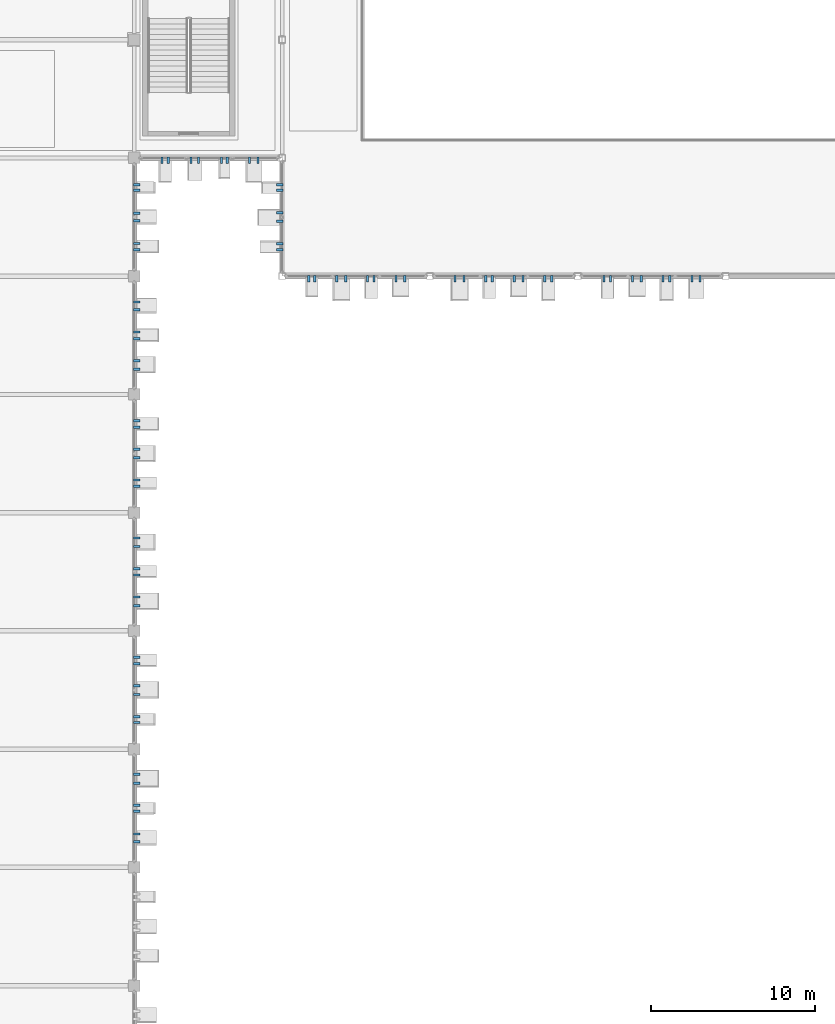
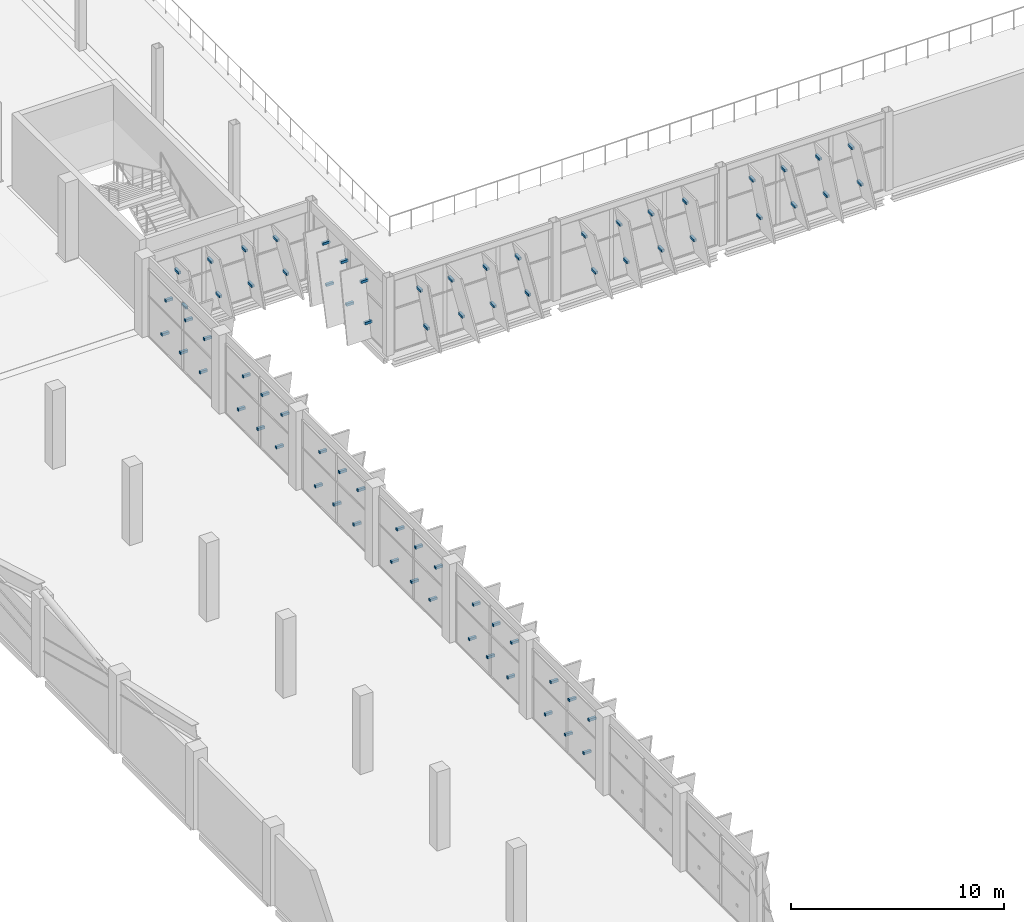
# One storey, part 124 of 151: 74 discrete accessories.
"""IFC4 building model written with IfcOpenShell, lengths in metres."""

from ifc_helpers import new_model, si_unit, direction, frame, origin, origin_2d, place, context, subcontext, project, spatial, rectangle, extrude, material, type_object, element, save


model = new_model("IFC4")

# Units and contexts
model_context = context("Model", 3, precision=1e-05, world=origin(), true_north=direction((0.0, 1.0)))
body_context = subcontext(model_context, "Body", "Model", "MODEL_VIEW")
ifc_project = project(units=[si_unit("LENGTHUNIT", "METRE"), si_unit("AREAUNIT", "SQUARE_METRE"), si_unit("VOLUMEUNIT", "CUBIC_METRE"), si_unit("PLANEANGLEUNIT", "RADIAN"), si_unit("MASSUNIT", "GRAM", prefix="KILO")], contexts=[model_context])

# Site, building, storey
site_placement = place(None, origin())
site = spatial("IfcSite", under=ifc_project, at=site_placement, CompositionType="ELEMENT")
building_placement = place(site_placement, origin())
building = spatial("IfcBuilding", under=site, at=building_placement, Name="Celestram Park Convention Centre", CompositionType="ELEMENT")
storey_placement = place(building_placement, frame((0.0, 0.0, 10.800048828125)))
storey = spatial("IfcBuildingStorey", under=building, at=storey_placement, Name="L02", CompositionType="ELEMENT", Elevation=10.800048828125)

# Discrete accessories
ifc_material = material(Name="Steel ASTM A500 Grade C", Category="steel")
discrete_accessory_type = type_object("IfcDiscreteAccessoryType", Name="ARC-BRK-OUT400", PredefinedType="BRACKET", material=ifc_material)
for number, where, z_axis, x_axis, name in (
    (1, (178.442626953125, 115.050048828125, 0.8701171875), (0.0, 0.0, 1.0), (0.0, -1.0, 0.0), "Solar fin outrigger bracket BK-L02-1099"),
    (2, (177.95751953125, 115.050048828125, 3.1337890625), (0.0, 0.0, 1.0), (0.0, -1.0, 0.0), "Solar fin outrigger bracket BK-L02-1100"),
    (3, (176.60888671875, 115.050048828125, 0.86328125), (0.0, 0.0, 1.0), (0.0, -1.0, 0.0), "Solar fin outrigger bracket BK-L02-1101"),
    (4, (176.19091796875, 115.050048828125, 3.140625), (0.0, 0.0, 1.0), (0.0, -1.0, 0.0), "Solar fin outrigger bracket BK-L02-1102"),
    (5, (174.868408203125, 115.050048828125, 0.8759765625), (0.0, 0.0, 1.0), (0.0, -1.0, 0.0), "Solar fin outrigger bracket BK-L02-1103"),
    (6, (174.331787109375, 115.050048828125, 3.1279296875), (0.0, 0.0, 1.0), (0.0, -1.0, 0.0), "Solar fin outrigger bracket BK-L02-1104"),
    (7, (172.9970703125, 115.050048828125, 0.861328125), (0.0, 0.0, 1.0), (0.0, -1.0, 0.0), "Solar fin outrigger bracket BK-L02-1105"),
    (8, (172.60302734375, 115.050048828125, 3.142578125), (0.0, 0.0, 1.0), (0.0, -1.0, 0.0), "Solar fin outrigger bracket BK-L02-1106"),
    (9, (169.408935546875, 115.050048828125, 0.86328125), (0.0, 0.0, 1.0), (0.0, -1.0, 0.0), "Solar fin outrigger bracket BK-L02-1107"),
    (10, (168.990966796875, 115.050048828125, 3.140625), (0.0, 0.0, 1.0), (0.0, -1.0, 0.0), "Solar fin outrigger bracket BK-L02-1108"),
    (11, (167.668212890625, 115.050048828125, 0.8759765625), (0.0, 0.0, 1.0), (0.0, -1.0, 0.0), "Solar fin outrigger bracket BK-L02-1109"),
    (12, (167.131591796875, 115.050048828125, 3.1279296875), (0.0, 0.0, 1.0), (0.0, -1.0, 0.0), "Solar fin outrigger bracket BK-L02-1110"),
    (13, (165.797119140625, 115.050048828125, 0.861328125), (0.0, 0.0, 1.0), (0.0, -1.0, 0.0), "Solar fin outrigger bracket BK-L02-1111"),
    (14, (165.403076171875, 115.050048828125, 3.142578125), (0.0, 0.0, 1.0), (0.0, -1.0, 0.0), "Solar fin outrigger bracket BK-L02-1112"),
    (15, (164.076171875, 115.050048828125, 0.8779296875), (0.0, 0.0, 1.0), (0.0, -1.0, 0.0), "Solar fin outrigger bracket BK-L02-1113"),
    (16, (163.52392578125, 115.050048828125, 3.1259765625), (0.0, 0.0, 1.0), (0.0, -1.0, 0.0), "Solar fin outrigger bracket BK-L02-1114"),
    (17, (160.46826171875, 115.050048828125, 0.8759765625), (0.0, 0.0, 1.0), (0.0, -1.0, 0.0), "Solar fin outrigger bracket BK-L02-1115"),
    (18, (159.931640625, 115.050048828125, 3.1279296875), (0.0, 0.0, 1.0), (0.0, -1.0, 0.0), "Solar fin outrigger bracket BK-L02-1116"),
    (19, (158.596923828125, 115.050048828125, 0.861328125), (0.0, 0.0, 1.0), (0.0, -1.0, 0.0), "Solar fin outrigger bracket BK-L02-1117"),
    (20, (158.202880859375, 115.050048828125, 3.142578125), (0.0, 0.0, 1.0), (0.0, -1.0, 0.0), "Solar fin outrigger bracket BK-L02-1118"),
    (21, (156.876220703125, 115.050048828125, 0.8779296875), (0.0, 0.0, 1.0), (0.0, -1.0, 0.0), "Solar fin outrigger bracket BK-L02-1119"),
    (22, (156.323974609375, 115.050048828125, 3.1259765625), (0.0, 0.0, 1.0), (0.0, -1.0, 0.0), "Solar fin outrigger bracket BK-L02-1120"),
    (23, (154.985107421875, 115.050048828125, 0.859375), (0.0, 0.0, 1.0), (0.0, -1.0, 0.0), "Solar fin outrigger bracket BK-L02-1121"),
    (24, (154.614990234375, 115.050048828125, 3.14453125), (0.0, 0.0, 1.0), (0.0, -1.0, 0.0), "Solar fin outrigger bracket BK-L02-1122"),
    (25, (152.85009765625, 116.81494140625, 0.80517578125), (0.0, 0.0, 1.0), (-1.0, 0.0, 0.0), "Solar fin outrigger bracket BK-L02-1123"),
    (26, (152.85009765625, 117.18505859375, 2.94873046875), (0.0, 0.0, 1.0), (-1.0, 0.0, 0.0), "Solar fin outrigger bracket BK-L02-1124"),
    (27, (152.85009765625, 118.54052734375, 0.82080078125), (0.0, 0.0, 1.0), (-1.0, 0.0, 0.0), "Solar fin outrigger bracket BK-L02-1125"),
    (28, (152.85009765625, 119.059326171875, 2.93310546875), (0.0, 0.0, 1.0), (-1.0, 0.0, 0.0), "Solar fin outrigger bracket BK-L02-1126"),
    (29, (152.85009765625, 120.426025390625, 0.8037109375), (0.0, 0.0, 1.0), (-1.0, 0.0, 0.0), "Solar fin outrigger bracket BK-L02-1127"),
    (30, (152.85009765625, 120.77392578125, 2.95068359375), (0.0, 0.0, 1.0), (-1.0, 0.0, 0.0), "Solar fin outrigger bracket BK-L02-1128"),
    (31, (151.534423828125, 122.25, 0.82080078125), (0.0, 0.0, 1.0), (0.0, -1.0, 0.0), "Solar fin outrigger bracket BK-L02-1129"),
    (32, (151.015625, 122.25, 2.93310546875), (0.0, 0.0, 1.0), (0.0, -1.0, 0.0), "Solar fin outrigger bracket BK-L02-1130"),
    (33, (149.64892578125, 122.25, 0.8037109375), (0.0, 0.0, 1.0), (0.0, -1.0, 0.0), "Solar fin outrigger bracket BK-L02-1131"),
    (34, (149.301025390625, 122.25, 2.95068359375), (0.0, 0.0, 1.0), (0.0, -1.0, 0.0), "Solar fin outrigger bracket BK-L02-1132"),
    (35, (147.903076171875, 122.25, 0.8134765625), (0.0, 0.0, 1.0), (0.0, -1.0, 0.0), "Solar fin outrigger bracket BK-L02-1133"),
    (36, (147.447021484375, 122.25, 2.9404296875), (0.0, 0.0, 1.0), (0.0, -1.0, 0.0), "Solar fin outrigger bracket BK-L02-1134"),
    (37, (146.0712890625, 122.25, 0.80712890625), (0.0, 0.0, 1.0), (0.0, -1.0, 0.0), "Solar fin outrigger bracket BK-L02-1135"),
    (38, (145.6787109375, 122.25, 2.94677734375), (0.0, 0.0, 1.0), (0.0, -1.0, 0.0), "Solar fin outrigger bracket BK-L02-1136"),
    (39, (144.14990234375, 120.77392578125, 0.8037109375), (0.0, 0.0, 1.0), (1.0, 0.0, 0.0), "Solar fin outrigger bracket BK-L02-1137"),
    (40, (144.14990234375, 120.426025390625, 2.95068359375), (0.0, 0.0, 1.0), (1.0, 0.0, 0.0), "Solar fin outrigger bracket BK-L02-1138"),
    (41, (144.14990234375, 119.028076171875, 0.8134765625), (0.0, 0.0, 1.0), (1.0, 0.0, 0.0), "Solar fin outrigger bracket BK-L02-1139"),
    (42, (144.14990234375, 118.572021484375, 2.9404296875), (0.0, 0.0, 1.0), (1.0, 0.0, 0.0), "Solar fin outrigger bracket BK-L02-1140"),
    (43, (144.14990234375, 117.1962890625, 0.80712890625), (0.0, 0.0, 1.0), (1.0, 0.0, 0.0), "Solar fin outrigger bracket BK-L02-1141"),
    (44, (144.14990234375, 116.8037109375, 2.94677734375), (0.0, 0.0, 1.0), (1.0, 0.0, 0.0), "Solar fin outrigger bracket BK-L02-1142"),
    (45, (144.14990234375, 113.63427734375, 0.83740234375), (0.0, 0.0, 1.0), (1.0, 0.0, 0.0), "Solar fin outrigger bracket BK-L02-1143"),
    (46, (144.14990234375, 113.165771484375, 3.0224609375), (0.0, 0.0, 1.0), (1.0, 0.0, 0.0), "Solar fin outrigger bracket BK-L02-1144"),
    (47, (144.14990234375, 111.8017578125, 0.8310546875), (0.0, 0.0, 1.0), (1.0, 0.0, 0.0), "Solar fin outrigger bracket BK-L02-1145"),
    (48, (144.14990234375, 111.398193359375, 3.02880859375), (0.0, 0.0, 1.0), (1.0, 0.0, 0.0), "Solar fin outrigger bracket BK-L02-1146"),
    (49, (144.14990234375, 110.058837890625, 0.84326171875), (0.0, 0.0, 1.0), (1.0, 0.0, 0.0), "Solar fin outrigger bracket BK-L02-1147"),
    (50, (144.14990234375, 109.541015625, 3.0166015625), (0.0, 0.0, 1.0), (1.0, 0.0, 0.0), "Solar fin outrigger bracket BK-L02-1148"),
    (51, (144.14990234375, 106.401611328125, 0.8310546875), (0.0, 0.0, 1.0), (1.0, 0.0, 0.0), "Solar fin outrigger bracket BK-L02-1149"),
    (52, (144.14990234375, 105.998291015625, 3.02880859375), (0.0, 0.0, 1.0), (1.0, 0.0, 0.0), "Solar fin outrigger bracket BK-L02-1150"),
    (53, (144.14990234375, 104.658935546875, 0.84326171875), (0.0, 0.0, 1.0), (1.0, 0.0, 0.0), "Solar fin outrigger bracket BK-L02-1151"),
    (54, (144.14990234375, 104.14111328125, 3.0166015625), (0.0, 0.0, 1.0), (1.0, 0.0, 0.0), "Solar fin outrigger bracket BK-L02-1152"),
    (55, (144.14990234375, 102.790283203125, 0.8291015625), (0.0, 0.0, 1.0), (1.0, 0.0, 0.0), "Solar fin outrigger bracket BK-L02-1153"),
    (56, (144.14990234375, 102.409912109375, 3.03076171875), (0.0, 0.0, 1.0), (1.0, 0.0, 0.0), "Solar fin outrigger bracket BK-L02-1154"),
    (57, (144.14990234375, 99.2587890625, 0.84326171875), (0.0, 0.0, 1.0), (1.0, 0.0, 0.0), "Solar fin outrigger bracket BK-L02-1155"),
    (58, (144.14990234375, 98.7412109375, 3.0166015625), (0.0, 0.0, 1.0), (1.0, 0.0, 0.0), "Solar fin outrigger bracket BK-L02-1156"),
    (59, (144.14990234375, 97.39013671875, 0.8291015625), (0.0, 0.0, 1.0), (1.0, 0.0, 0.0), "Solar fin outrigger bracket BK-L02-1157"),
    (60, (144.14990234375, 97.009765625, 3.03076171875), (0.0, 0.0, 1.0), (1.0, 0.0, 0.0), "Solar fin outrigger bracket BK-L02-1158"),
    (61, (144.14990234375, 95.66650390625, 0.84521484375), (0.0, 0.0, 1.0), (1.0, 0.0, 0.0), "Solar fin outrigger bracket BK-L02-1159"),
    (62, (144.14990234375, 95.133544921875, 3.01513671875), (0.0, 0.0, 1.0), (1.0, 0.0, 0.0), "Solar fin outrigger bracket BK-L02-1160"),
    (63, (144.14990234375, 91.990234375, 0.8291015625), (0.0, 0.0, 1.0), (1.0, 0.0, 0.0), "Solar fin outrigger bracket BK-L02-1161"),
    (64, (144.14990234375, 91.60986328125, 3.03076171875), (0.0, 0.0, 1.0), (1.0, 0.0, 0.0), "Solar fin outrigger bracket BK-L02-1162"),
    (65, (144.14990234375, 90.2666015625, 0.84521484375), (0.0, 0.0, 1.0), (1.0, 0.0, 0.0), "Solar fin outrigger bracket BK-L02-1163"),
    (66, (144.14990234375, 89.7333984375, 3.01513671875), (0.0, 0.0, 1.0), (1.0, 0.0, 0.0), "Solar fin outrigger bracket BK-L02-1164"),
    (67, (144.14990234375, 88.378662109375, 0.8271484375), (0.0, 0.0, 1.0), (1.0, 0.0, 0.0), "Solar fin outrigger bracket BK-L02-1165"),
    (68, (144.14990234375, 88.021484375, 3.03271484375), (0.0, 0.0, 1.0), (1.0, 0.0, 0.0), "Solar fin outrigger bracket BK-L02-1166"),
    (69, (144.14990234375, 84.866455078125, 0.84521484375), (0.0, 0.0, 1.0), (1.0, 0.0, 0.0), "Solar fin outrigger bracket BK-L02-1167"),
    (70, (144.14990234375, 84.33349609375, 3.01513671875), (0.0, 0.0, 1.0), (1.0, 0.0, 0.0), "Solar fin outrigger bracket BK-L02-1168"),
    (71, (144.14990234375, 82.978515625, 0.8271484375), (0.0, 0.0, 1.0), (1.0, 0.0, 0.0), "Solar fin outrigger bracket BK-L02-1169"),
    (72, (144.14990234375, 82.621337890625, 3.03271484375), (0.0, 0.0, 1.0), (1.0, 0.0, 0.0), "Solar fin outrigger bracket BK-L02-1170"),
    (73, (144.14990234375, 81.234130859375, 0.83740234375), (0.0, 0.0, 1.0), (1.0, 0.0, 0.0), "Solar fin outrigger bracket BK-L02-1171"),
    (74, (144.14990234375, 80.765869140625, 3.0224609375), (0.0, 0.0, 1.0), (1.0, 0.0, 0.0), "Solar fin outrigger bracket BK-L02-1172"),
):
    element("IfcDiscreteAccessory", number, at=place(storey_placement, frame(where, z_axis=z_axis, x_axis=x_axis)), inside=storey, type_object=discrete_accessory_type, Name=name, PredefinedType="BRACKET", context=body_context, shape_type="SweptSolid", body=[
        extrude(rectangle(XDim=0.39990234375, YDim=0.139892578125, at=origin_2d()), origin(), (0.0, 0.0, 1.0), 0.139892578125),
    ])

save(model, "model.ifc")
